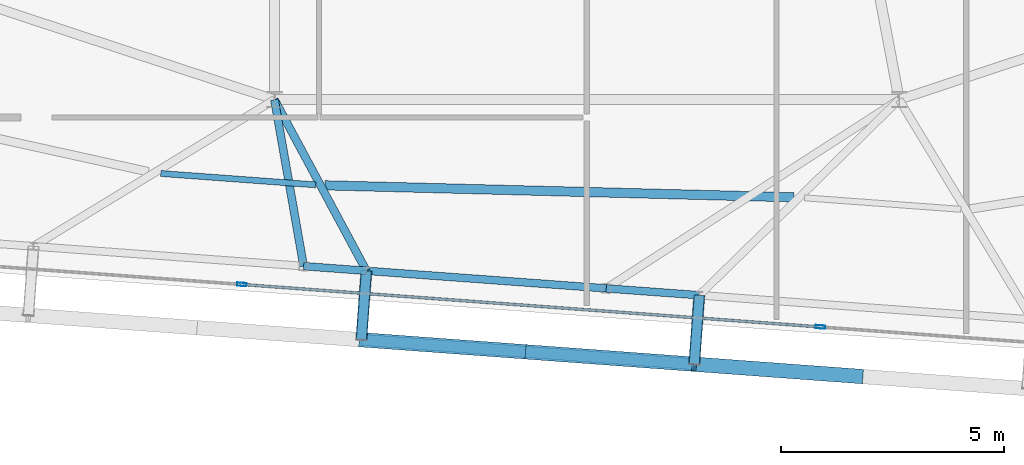
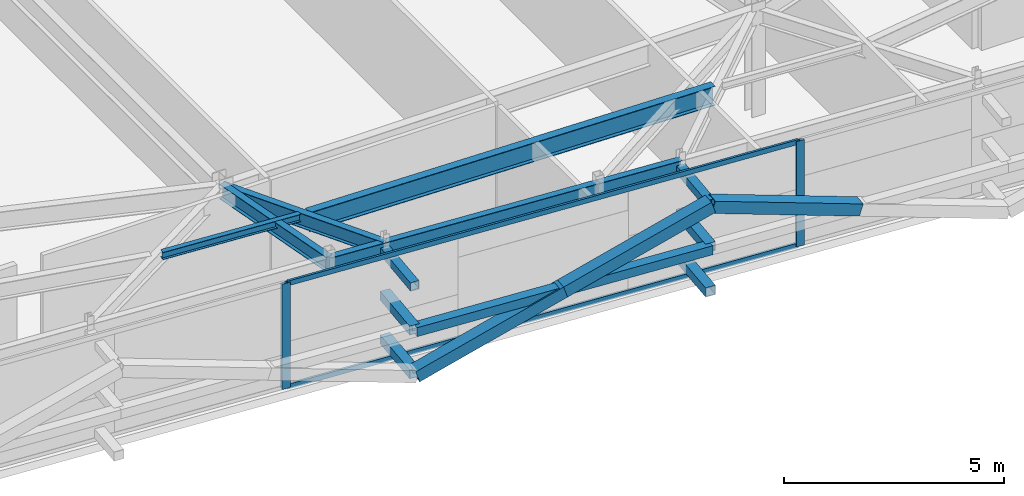
# One storey, part 11 of 34: 14 members, 7 beams, 1 element without a shape of its own.
"""IFC4 building model written with IfcOpenShell, lengths in metres."""

from ifc_helpers import new_model, si_unit, direction, frame, origin, origin_2d, place, context, subcontext, project, spatial, hollow_rectangle, i_section, extrude, source, transform, mapped, material, layer, layer_set, material_profile, profile_set, type_object, element, aggregate, save


model = new_model("IFC4")

# Units and contexts
model_context = context("Model", 3, precision=1e-05, world=origin(), true_north=direction((0.0, 1.0)))
body_context = subcontext(model_context, "Body", "Model", "MODEL_VIEW")
ifc_project = project(units=[si_unit("LENGTHUNIT", "METRE"), si_unit("AREAUNIT", "SQUARE_METRE"), si_unit("VOLUMEUNIT", "CUBIC_METRE"), si_unit("PLANEANGLEUNIT", "RADIAN"), si_unit("MASSUNIT", "GRAM", prefix="KILO")], contexts=[model_context])

# Site, building, storey
site_placement = place(None, origin())
site = spatial("IfcSite", under=ifc_project, at=site_placement, CompositionType="ELEMENT")
building_placement = place(site_placement, origin())
building = spatial("IfcBuilding", under=site, at=building_placement, Name="Taldren Reach Tower", CompositionType="ELEMENT")
storey_placement = place(building_placement, frame((0.0, 0.0, 242.89990234375)))
storey = spatial("IfcBuildingStorey", under=building, at=storey_placement, Name="L74", CompositionType="ELEMENT", Elevation=242.89990234375)

# Members
ifc_material_1 = material(Name="Steel Gr 350 (C350L0)", Category="steel")
ifc_material_profile_1 = material_profile(ifc_material_1, hollow_rectangle(XDim=0.25, YDim=0.25, WallThickness=0.010009765625, at=origin_2d()), Name="250x250x10.0SHS")
ifc_profile_set_1 = profile_set([ifc_material_profile_1], Name="Steel Gr 350 (C350L0)")
member_type_1 = type_object("IfcMemberType", Name="MB-POST250", PredefinedType="POST", material=ifc_profile_set_1)
shared_shape_1 = source(origin(), body_context, "Body", "SweptSolid", [
    extrude(hollow_rectangle(XDim=0.25, YDim=0.25, WallThickness=0.010009765625, at=origin_2d()), origin(), (0.0, 0.0, 1.0), 1.5498046875),
])
for number, where, z_axis, x_axis, name in (
    (1, (30.060546875, 5.364501953125, 0.22021484375), (-0.073250797913, -0.997313551801, 0.0), (0.997313551801, -0.073250797913, 0.0), "Exoskeleton base diaphragm tie strut B5-S3 L74"),
    (2, (30.060546875, 5.364501953125, 1.43505859375), (-0.073250797913, -0.997313551801, 0.0), (0.997313551801, -0.073250797913, 0.0), "Exoskeleton mid-tier diaphragm tie B5-S3 L74"),
):
    element("IfcMember", number, at=place(storey_placement, frame(where, z_axis=z_axis, x_axis=x_axis)), inside=storey, type_object=member_type_1, Name=name, PredefinedType="POST", context=body_context, shape_type="MappedRepresentation", body=[
        mapped(shared_shape_1, transform((0.0, 0.0, 0.0), scale=1.0)),
    ])
shared_shape_2 = source(origin(), body_context, "Body", "SweptSolid", [
    extrude(hollow_rectangle(XDim=0.25, YDim=0.25, WallThickness=0.010009765625, at=origin_2d()), origin(), (0.0, 0.0, 1.0), 1.550048828125),
])
for number, where, z_axis, x_axis, name in (
    (3, (37.5205078125, 4.81689453125, 0.22021484375), (-0.07323929162, -0.997314396849, 0.0), (0.997314396849, -0.07323929162, 0.0), "Exoskeleton base diaphragm tie strut B5-S4 L74"),
    (4, (37.5205078125, 4.81689453125, 1.43505859375), (-0.07323929162, -0.997314396849, 0.0), (0.997314396849, -0.07323929162, 0.0), "Exoskeleton mid-tier diaphragm tie B5-S4 L74"),
):
    element("IfcMember", number, at=place(storey_placement, frame(where, z_axis=z_axis, x_axis=x_axis)), inside=storey, type_object=member_type_1, Name=name, PredefinedType="POST", context=body_context, shape_type="MappedRepresentation", body=[
        mapped(shared_shape_2, transform((0.0, 0.0, 0.0), scale=1.0)),
    ])
ifc_material_2 = material(Name="Steel Gr 450 (C450L0)", Category="steel")
ifc_material_profile_2 = material_profile(ifc_material_2, hollow_rectangle(XDim=0.219970703125, YDim=0.219970703125, WallThickness=0.00830078125, at=origin_2d()), Name="220x220x8.2SHS")
ifc_profile_set_2 = profile_set([ifc_material_profile_2], Name="Steel Gr 450 (C450L0)")
member_type_2 = type_object("IfcMemberType", Name="MB-TIE219", PredefinedType="STRUT", material=ifc_profile_set_2)
shared_shape_3 = source(origin(), body_context, "Body", "SweptSolid", [
    extrude(hollow_rectangle(XDim=0.219970703125, YDim=0.219970703125, WallThickness=0.00830078125, at=origin_2d()), origin(), (0.0, 0.0, 1.0), 1.5498046875),
])
member_1_placement = place(storey_placement, frame((30.060546875, 5.364501953125, 2.650146484375), z_axis=(-0.073250797913, -0.997313551801, 0.0), x_axis=(0.997313551801, -0.073250797913, 0.0)))
element("IfcMember", 5, at=member_1_placement, inside=storey, type_object=member_type_2, Name="Exoskeleton diaphragm tie strut B5-S3 L74", PredefinedType="STRUT", context=body_context, shape_type="MappedRepresentation", body=[
    mapped(shared_shape_3, transform((0.0, 0.0, 0.0), scale=1.0)),
])
shared_shape_4 = source(origin(), body_context, "Body", "SweptSolid", [
    extrude(hollow_rectangle(XDim=0.219970703125, YDim=0.219970703125, WallThickness=0.00830078125, at=origin_2d()), origin(), (0.0, 0.0, 1.0), 1.550048828125),
])
member_2_placement = place(storey_placement, frame((37.5205078125, 4.81689453125, 2.650146484375), z_axis=(-0.07323929162, -0.997314396849, 0.0), x_axis=(0.997314396849, -0.07323929162, 0.0)))
element("IfcMember", 6, at=member_2_placement, inside=storey, type_object=member_type_2, Name="Exoskeleton diaphragm tie strut B5-S4 L74", PredefinedType="STRUT", context=body_context, shape_type="MappedRepresentation", body=[
    mapped(shared_shape_4, transform((0.0, 0.0, 0.0), scale=1.0)),
])

# Beams
ifc_material_3 = material(Name="Steel Gr 350 (350PLUS)", Category="steel")
ifc_material_profile_3 = material_profile(ifc_material_3, i_section(OverallWidth=0.172119140625, OverallDepth=0.35888671875, WebThickness=0.008056640625, FlangeThickness=0.012939453125, at=origin_2d()), Name="360UB56.7")
ifc_profile_set_3 = profile_set([ifc_material_profile_3], Name="Steel Gr 350 (350PLUS)")
beam_type_1 = type_object("IfcBeamType", Name="SP-UB360", PredefinedType="SPANDREL", material=ifc_profile_set_3)
shared_shape_5 = source(origin(), body_context, "Body", "SweptSolid", [
    extrude(i_section(OverallWidth=0.172119140625, OverallDepth=0.35888671875, WebThickness=0.008056640625, FlangeThickness=0.012939453125, at=origin_2d()), origin(), (0.0, 0.0, 1.0), 1.41015625),
])
beam_1_placement = place(storey_placement, frame((28.654296875, 5.4677734375, 2.75048828125), z_axis=(0.997314324946, -0.073240270738, 0.0), x_axis=(0.073240270738, 0.997314324946, 0.0)))
element("IfcBeam", 7, at=beam_1_placement, inside=storey, type_object=beam_type_1, Name="Perimeter spandrel B5 PJ1-S3 L74", PredefinedType="SPANDREL", context=body_context, shape_type="MappedRepresentation", body=[
    mapped(shared_shape_5, transform((0.0, 0.0, 0.0), scale=1.0)),
])
shared_shape_6 = source(origin(), body_context, "Body", "SweptSolid", [
    extrude(i_section(OverallWidth=0.172119140625, OverallDepth=0.35888671875, WebThickness=0.008056640625, FlangeThickness=0.012939453125, at=origin_2d()), origin(), (0.0, 0.0, 1.0), 5.389892578125),
])
beam_2_placement = place(storey_placement, frame((30.060546875, 5.364501953125, 2.75048828125), z_axis=(0.997314149177, -0.073242664148, 0.0), x_axis=(0.073242664148, 0.997314149177, 0.0)))
element("IfcBeam", 8, at=beam_2_placement, inside=storey, type_object=beam_type_1, Name="Perimeter spandrel B5 S3-PJ2 L74", PredefinedType="SPANDREL", context=body_context, shape_type="MappedRepresentation", body=[
    mapped(shared_shape_6, transform((0.0, 0.0, 0.0), scale=1.0)),
])
shared_shape_7 = source(origin(), body_context, "Body", "SweptSolid", [
    extrude(i_section(OverallWidth=0.172119140625, OverallDepth=0.35888671875, WebThickness=0.008056640625, FlangeThickness=0.012939453125, at=origin_2d()), origin(), (0.0, 0.0, 1.0), 2.090087890625),
])
beam_3_placement = place(storey_placement, frame((35.43603515625, 4.9697265625, 2.75048828125), z_axis=(0.997322930253, -0.073122997697, 0.0), x_axis=(0.073122997697, 0.997322930253, 0.0)))
element("IfcBeam", 9, at=beam_3_placement, inside=storey, type_object=beam_type_1, Name="Perimeter spandrel B5 PJ2-S4 L74", PredefinedType="SPANDREL", context=body_context, shape_type="MappedRepresentation", body=[
    mapped(shared_shape_7, transform((0.0, 0.0, 0.0), scale=1.0)),
])
ifc_material_profile_4 = material_profile(ifc_material_3, i_section(OverallWidth=0.177978515625, OverallDepth=0.406005859375, WebThickness=0.0078125, FlangeThickness=0.0126953125, at=origin_2d()), Name="410UB59.7")
ifc_profile_set_4 = profile_set([ifc_material_profile_4], Name="Steel Gr 350 (350PLUS)")
beam_type_2 = type_object("IfcBeamType", Name="BM-UB410", PredefinedType="BEAM", material=ifc_profile_set_4)
shared_shape_8 = source(origin(), body_context, "Body", "SweptSolid", [
    extrude(i_section(OverallWidth=0.177978515625, OverallDepth=0.406005859375, WebThickness=0.0078125, FlangeThickness=0.0126953125, at=origin_2d()), origin(), (0.0, 0.0, 1.0), 3.7890625),
])
beam_4_placement = place(storey_placement, frame((28.0, 9.199951171875, 2.72705078125), z_axis=(0.172678846321, -0.984978180486, 0.0), x_axis=(0.984978180486, 0.172678846321, 0.0)))
element("IfcBeam", 10, at=beam_4_placement, inside=storey, type_object=beam_type_2, Name="Primary floor girder B5-PJ1 L74", PredefinedType="BEAM", context=body_context, shape_type="MappedRepresentation", body=[
    mapped(shared_shape_8, transform((0.0, 0.0, 0.0), scale=1.0)),
])
shared_shape_9 = source(origin(), body_context, "Body", "SweptSolid", [
    extrude(i_section(OverallWidth=0.177978515625, OverallDepth=0.406005859375, WebThickness=0.0078125, FlangeThickness=0.0126953125, at=origin_2d()), origin(), (0.0, 0.0, 1.0), 4.35400390625),
])
beam_5_placement = place(storey_placement, frame((28.0, 9.199951171875, 2.72705078125), z_axis=(0.473263645364, -0.88092083752, 0.0), x_axis=(0.88092083752, 0.473263645364, 0.0)))
element("IfcBeam", 11, at=beam_5_placement, inside=storey, type_object=beam_type_2, Name="Primary floor girder B5-S3 L74", PredefinedType="BEAM", context=body_context, shape_type="MappedRepresentation", body=[
    mapped(shared_shape_9, transform((0.0, 0.0, 0.0), scale=1.0)),
])
ifc_material_4 = material(Name="Steel Gr 300 (300PLUS, 300 MPa)", Category="steel")
ifc_material_profile_5 = material_profile(ifc_material_4, i_section(OverallWidth=0.134033203125, OverallDepth=0.20703125, WebThickness=0.00634765625, FlangeThickness=0.009521484375, at=origin_2d()), Name="200UB29.8")
ifc_profile_set_5 = profile_set([ifc_material_profile_5], Name="Steel Gr 300 (300PLUS, 300 MPa)")
beam_type_3 = type_object("IfcBeamType", Name="JS-UB200", PredefinedType="JOIST", material=ifc_profile_set_5)
shared_shape_10 = source(origin(), body_context, "Body", "SweptSolid", [
    extrude(i_section(OverallWidth=0.134033203125, OverallDepth=0.20703125, WebThickness=0.00634765625, FlangeThickness=0.009521484375, at=origin_2d()), origin(), (0.0, 0.0, 1.0), 3.481201171875),
])
beam_6_placement = place(storey_placement, frame((25.453125, 7.544921875, 2.82666015625), z_axis=(0.997316141537, -0.073215529974, 0.0), x_axis=(0.073215529974, 0.997316141537, 0.0)))
element("IfcBeam", 12, at=beam_6_placement, inside=storey, type_object=beam_type_3, Name="Secondary floor joist B5 J2 L74", PredefinedType="JOIST", context=body_context, shape_type="MappedRepresentation", body=[
    mapped(shared_shape_10, transform((0.0, 0.0, 0.0), scale=1.0)),
])
ifc_material_profile_6 = material_profile(ifc_material_3, i_section(OverallWidth=0.208984375, OverallDepth=0.532958984375, WebThickness=0.01025390625, FlangeThickness=0.015625, at=origin_2d()), Name="530UB92.4")
ifc_profile_set_6 = profile_set([ifc_material_profile_6], Name="Steel Gr 350 (350PLUS)")
beam_type_4 = type_object("IfcBeamType", Name="BM-UB530A", PredefinedType="BEAM", material=ifc_profile_set_6)
shared_shape_11 = source(origin(), body_context, "Body", "SweptSolid", [
    extrude(i_section(OverallWidth=0.208984375, OverallDepth=0.532958984375, WebThickness=0.01025390625, FlangeThickness=0.015625, at=origin_2d()), origin(), (0.0, 0.0, 1.0), 10.507080078125),
])
beam_7_placement = place(storey_placement, frame((29.132568359375, 7.27978515625, 2.66357421875), z_axis=(0.999673899449, -0.025536146143, 0.0), x_axis=(0.025536146143, 0.999673899449, 0.0)))
element("IfcBeam", 13, at=beam_7_placement, inside=storey, type_object=beam_type_4, Name="Secondary floor beam B5 J3 L74", PredefinedType="BEAM", context=body_context, shape_type="MappedRepresentation", body=[
    mapped(shared_shape_11, transform((0.0, 0.0, 0.0), scale=1.0)),
])

# Members
ifc_material_profile_7 = material_profile(ifc_material_2, hollow_rectangle(XDim=0.324951171875, YDim=0.324951171875, WallThickness=0.0126953125, at=origin_2d()), Name="325x325x12.7SHS")
ifc_profile_set_7 = profile_set([ifc_material_profile_7], Name="Steel Gr 450 (C450L0)")
member_type_3 = type_object("IfcMemberType", Name="MB-BR324", PredefinedType="BRACE", material=ifc_profile_set_7)
shared_shape_12 = source(origin(), body_context, "Body", "SweptSolid", [
    extrude(hollow_rectangle(XDim=0.324951171875, YDim=0.324951171875, WallThickness=0.0126953125, at=origin_2d()), origin(), (0.0, 0.0, 1.0), 3.932373046875),
])
for number, where, z_axis, x_axis, name in (
    (14, (29.947021484375, 3.81884765625, 0.22021484375), (0.948529326954, -0.06965898055, 0.308933232813), (0.07324169103, 0.997314220642, 0.0), "Exoskeleton Diagrid Brace B5-S3 L74"),
    (15, (33.677001953125, 3.544921875, 1.43505859375), (0.948511132845, -0.069657644394, 0.308989390507), (0.07324169103, 0.997314220642, 0.0), "Exoskeleton Diagrid Brace B5-S3 L74"),
):
    element("IfcMember", number, at=place(storey_placement, frame(where, z_axis=z_axis, x_axis=x_axis)), inside=storey, type_object=member_type_3, Name=name, PredefinedType="BRACE", context=body_context, shape_type="MappedRepresentation", body=[
        mapped(shared_shape_12, transform((0.0, 0.0, 0.0), scale=1.0)),
    ])
shared_shape_13 = source(origin(), body_context, "Body", "SweptSolid", [
    extrude(hollow_rectangle(XDim=0.25, YDim=0.25, WallThickness=0.010009765625, at=origin_2d()), origin(), (0.0, 0.0, 1.0), 7.47998046875),
])
member_3_placement = place(storey_placement, frame((29.947021484375, 3.81884765625, 1.43505859375), z_axis=(0.997314220642, -0.07324169103, 0.0), x_axis=(0.07324169103, 0.997314220642, 0.0)))
element("IfcMember", 16, at=member_3_placement, inside=storey, type_object=member_type_1, Name="Exoskeleton mid-height ring chord B5-S3 L74", PredefinedType="POST", context=body_context, shape_type="MappedRepresentation", body=[
    mapped(shared_shape_13, transform((0.0, 0.0, 0.0), scale=1.0)),
])
shared_shape_14 = source(origin(), body_context, "Body", "SweptSolid", [
    extrude(hollow_rectangle(XDim=0.324951171875, YDim=0.324951171875, WallThickness=0.0126953125, at=origin_2d()), origin(), (0.0, 0.0, 1.0), 3.93212890625),
])
member_4_placement = place(storey_placement, frame((41.13671875, 2.9970703125, 1.43505859375), z_axis=(-0.94850490367, 0.069661746542, 0.309007586933), x_axis=(-0.073246459555, -0.997313870435, 0.0)))
element("IfcMember", 17, at=member_4_placement, inside=storey, type_object=member_type_3, Name="Exoskeleton Diagrid Brace B5-S4 L74", PredefinedType="BRACE", context=body_context, shape_type="MappedRepresentation", body=[
    mapped(shared_shape_14, transform((0.0, 0.0, 0.0), scale=1.0)),
])

# Curtain wall, members
ifc_material_5 = material(Name="Aluminium and Low-E Glass Unitised System", Category="aluminium")
ifc_layer = layer(ifc_material_5, 0.159912109375)
ifc_layer_set = layer_set([ifc_layer], Name="Aluminium and Low-E Glass Unitised System")
curtain_wall_type = type_object("IfcCurtainWallType", Name="CW-SYS-6", PredefinedType="NOTDEFINED", material=ifc_layer_set)
curtain_wall_placement = place(storey_placement, origin())
curtain_wall = element("IfcCurtainWall", 18, at=curtain_wall_placement, inside=storey, type_object=curtain_wall_type, Name="Unitised curtain wall CW-L74-S", PredefinedType="NOTDEFINED")
ifc_material_6 = material(Name="Anodised Aluminium 6063-T6", Category="aluminium")
ifc_material_profile_8 = material_profile(ifc_material_6, hollow_rectangle(XDim=0.074951171875, YDim=0.2099609375, WallThickness=0.00439453125, at=origin_2d()), Name="ALU-210x75x4.5RHS")
ifc_profile_set_8 = profile_set([ifc_material_profile_8], Name="Anodised Aluminium 6063-T6")
member_type_4 = type_object("IfcMemberType", Name="CW-MUL-200", PredefinedType="MULLION", material=ifc_profile_set_8)
shared_shape_15 = source(origin(), body_context, "Body", "SweptSolid", [
    extrude(hollow_rectangle(XDim=0.074951171875, YDim=0.2099609375, WallThickness=0.00439453125, at=origin_2d()), origin(), (0.0, 0.0, 1.0), 2.93017578125),
])
member_5_placement = place(storey_placement, frame((27.2705078125, 5.05810546875, 0.0), z_axis=(0.0, 0.0, 1.0), x_axis=(0.073238213716, 0.997314476006, 0.0)))
member_5 = element("IfcMember", 19, at=member_5_placement, type_object=member_type_4, Name="CW-6 mullion 2", PredefinedType="MULLION", context=body_context, shape_type="MappedRepresentation", body=[
    mapped(shared_shape_15, transform((0.0, 0.0, 0.0), scale=1.0)),
])
member_6_placement = place(storey_placement, frame((40.235595703125, 4.10595703125, 0.0), z_axis=(0.0, 0.0, 1.0), x_axis=(0.073238213716, 0.997314476006, 0.0)))
member_6 = element("IfcMember", 20, at=member_6_placement, type_object=member_type_4, Name="CW-6 mullion 3", PredefinedType="MULLION", context=body_context, shape_type="MappedRepresentation", body=[
    mapped(shared_shape_15, transform((0.0, 0.0, 0.0), scale=1.0)),
])
ifc_material_profile_9 = material_profile(ifc_material_6, hollow_rectangle(XDim=0.06005859375, YDim=0.135009765625, WallThickness=0.00341796875, at=origin_2d()), Name="ALU-135x60x3.5RHS")
ifc_profile_set_9 = profile_set([ifc_material_profile_9], Name="Anodised Aluminium 6063-T6")
member_type_5 = type_object("IfcMemberType", Name="CW-TRN-150", PredefinedType="USERDEFINED", material=ifc_profile_set_9)
shared_shape_16 = source(origin(), body_context, "Body", "SweptSolid", [
    extrude(hollow_rectangle(XDim=0.06005859375, YDim=0.135009765625, WallThickness=0.00341796875, at=origin_2d()), origin(), (0.0, 0.0, 1.0), 12.925048828125),
])
member_7_placement = place(storey_placement, frame((27.307861328125, 5.055419921875, 0.030029296875), z_axis=(0.99731353371, -0.073251044219, 0.0), x_axis=(0.073251044219, 0.99731353371, 0.0)))
member_7 = element("IfcMember", 21, at=member_7_placement, type_object=member_type_5, Name="CW-6 transom 2.1", ObjectType="TRANSOM", PredefinedType="USERDEFINED", context=body_context, shape_type="MappedRepresentation", body=[
    mapped(shared_shape_16, transform((0.0, 0.0, 0.0), scale=1.0)),
])
member_8_placement = place(storey_placement, frame((27.307861328125, 5.055419921875, 2.900146484375), z_axis=(0.99731353371, -0.073251044219, 0.0), x_axis=(0.073251044219, 0.99731353371, 0.0)))
member_8 = element("IfcMember", 22, at=member_8_placement, type_object=member_type_5, Name="CW-6 transom 2.2", ObjectType="TRANSOM", PredefinedType="USERDEFINED", context=body_context, shape_type="MappedRepresentation", body=[
    mapped(shared_shape_16, transform((0.0, 0.0, 0.0), scale=1.0)),
])
aggregate(curtain_wall, [member_5, member_6, member_7, member_8])

save(model, "model.ifc")
